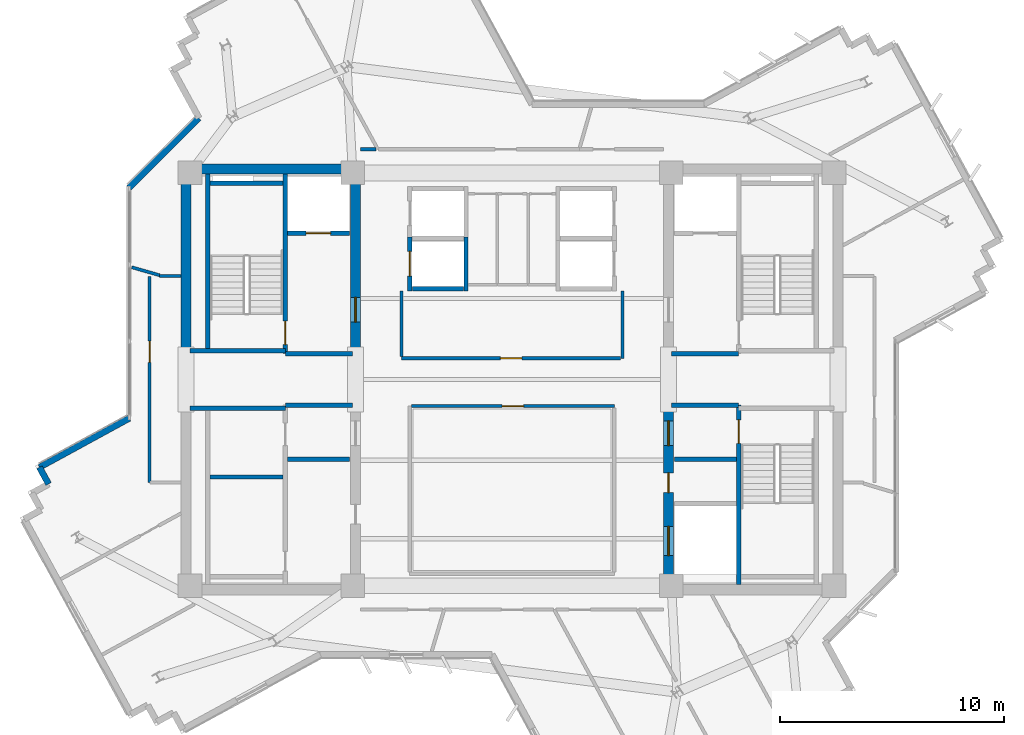
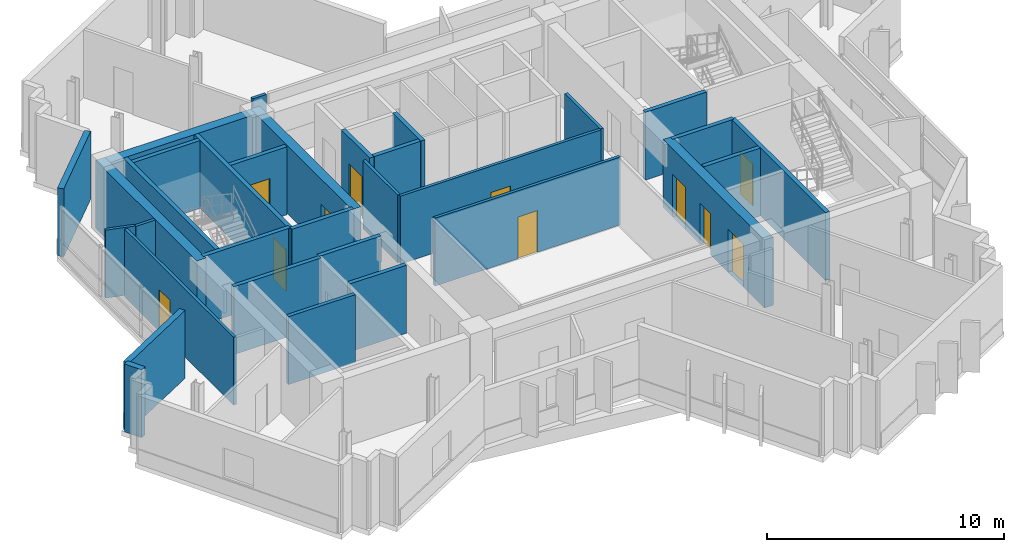
# One storey, part 6 of 13: 32 walls, 11 doors, 11 openings.
"""IFC4 building model written with IfcOpenShell, lengths in metres."""

from ifc_helpers import new_model, si_unit, direction, frame, frame_2d, origin, place, context, subcontext, project, spatial, rectangle, extrude, source, transform, mapped, material, layer, layer_set, type_object, element, fill, save


model = new_model("IFC4")

# Units and contexts
model_context = context("Model", 3, precision=1e-05, world=origin(), true_north=direction((0.0, 1.0)))
body_context = subcontext(model_context, "Body", "Model", "MODEL_VIEW")
ifc_project = project(units=[si_unit("LENGTHUNIT", "METRE"), si_unit("AREAUNIT", "SQUARE_METRE"), si_unit("VOLUMEUNIT", "CUBIC_METRE"), si_unit("PLANEANGLEUNIT", "RADIAN"), si_unit("MASSUNIT", "GRAM", prefix="KILO")], contexts=[model_context])

# Site, building, storey
site_placement = place(None, origin())
site = spatial("IfcSite", under=ifc_project, at=site_placement, CompositionType="ELEMENT")
building_placement = place(site_placement, origin())
building = spatial("IfcBuilding", under=site, at=building_placement, Name="Zahravan Cultural Tower", CompositionType="ELEMENT")
storey_placement = place(building_placement, frame((0.0, 0.0, 257.85009765625)))
storey = spatial("IfcBuildingStorey", under=building, at=storey_placement, Name="L61", CompositionType="ELEMENT", Elevation=257.85009765625)

# Wall, opening, door
ifc_material_1 = material(Name="Concrete C50/60", Category="concrete")
ifc_layer_1 = layer(ifc_material_1, 0.449951171875)
ifc_layer_set_1 = layer_set([ifc_layer_1], Name="Concrete C50/60")
wall_type_1 = type_object("IfcWallType", Name="CW-SHEAR-450-C50", PredefinedType="SHEAR", material=ifc_layer_set_1)
wall_1_placement = place(storey_placement, frame((29.02490234375, 28.050048828125, 0.0), z_axis=(0.0, 0.0, 1.0), x_axis=(0.0, 1.0, 0.0)))
wall_1 = element("IfcWall", 1, at=wall_1_placement, inside=storey, type_object=wall_type_1, Name="L61 Core Shear Wall CW-W-EN-L61", PredefinedType="SHEAR", context=body_context, shape_type="SweptSolid", body=[
    extrude(rectangle(XDim=8.550048828125, YDim=0.449951171875, at=frame_2d((4.27490234375, 0.0))), origin(), (0.0, 0.0, 1.0), 3.5),
])
opening_1_placement = place(wall_1_placement, frame((1.5, 0.0, 0.0)))
opening_1 = element("IfcOpeningElement", 2, at=opening_1_placement, cuts=wall_1, Name="Opening D-L61-06", PredefinedType="OPENING", context=body_context, shape_type="SweptSolid", body=[
    extrude(rectangle(XDim=1.10009765625, YDim=2.199951171875, at=frame_2d((0.550048828125, 1.10009765625))), frame((0.0, 0.23486328125, 0.0), z_axis=(0.0, -1.0, 0.0), x_axis=(1.0, 0.0, 0.0)), (0.0, 0.0, 1.0), 0.469970703125),
])
ifc_material_2 = material(Name="Steel ASTM A572 Grade 50", Category="steel")
door_type_1 = type_object("IfcDoorType", Name="DR-LOBBY-1100", OperationType="NOTDEFINED", PredefinedType="DOOR", material=ifc_material_2)
shared_shape_1 = source(origin(), body_context, "Body", "SweptSolid", [
    extrude(rectangle(XDim=1.10009765625, YDim=2.199951171875, at=frame_2d((0.550048828125, 1.10009765625))), frame((0.0, 0.02490234375, 0.0), z_axis=(0.0, -1.0, 0.0), x_axis=(1.0, 0.0, 0.0)), (0.0, 0.0, 1.0), 0.050048828125),
])
door_1_placement = place(opening_1_placement, origin())
door_1 = element("IfcDoor", 3, at=door_1_placement, inside=storey, type_object=door_type_1, Name="L61 Door D-L61-06", OperationType="SINGLE_SWING_RIGHT", OverallHeight=2.199951171875, OverallWidth=1.10009765625, PredefinedType="DOOR", context=body_context, shape_type="MappedRepresentation", body=[
    mapped(shared_shape_1, transform((0.0, 0.0, 0.0), x_axis=(1.0, 0.0, 0.0), y_axis=(0.0, 1.0, 0.0), z_axis=(0.0, 0.0, 1.0), scale=1.0)),
])
fill(opening_1, door_1)

# Wall, openings, doors
wall_2_placement = place(storey_placement, frame((42.97509765625, 17.39990234375, 0.0), z_axis=(0.0, 0.0, 1.0), x_axis=(0.0, 1.0, 0.0)))
wall_2 = element("IfcWall", 4, at=wall_2_placement, inside=storey, type_object=wall_type_1, Name="L61 Core Shear Wall CW-E-WS-L61", PredefinedType="SHEAR", context=body_context, shape_type="SweptSolid", body=[
    extrude(rectangle(XDim=8.550048828125, YDim=0.449951171875, at=frame_2d((4.27490234375, 0.0))), origin(), (0.0, 0.0, 1.0), 3.5),
])
opening_2_placement = place(wall_2_placement, frame((6.64990234375, 0.0, 0.0)))
opening_2 = element("IfcOpeningElement", 5, at=opening_2_placement, cuts=wall_2, Name="Opening D-L61-09", PredefinedType="OPENING", context=body_context, shape_type="SweptSolid", body=[
    extrude(rectangle(XDim=1.10009765625, YDim=2.199951171875, at=frame_2d((0.550048828125, 1.10009765625))), frame((0.0, 0.23486328125, 0.0), z_axis=(0.0, -1.0, 0.0), x_axis=(1.0, 0.0, 0.0)), (0.0, 0.0, 1.0), 0.469970703125),
])
opening_3_placement = place(wall_2_placement, frame((1.75, 0.0, 0.0)))
opening_3 = element("IfcOpeningElement", 6, at=opening_3_placement, cuts=wall_2, Name="Opening LD-L61-03", PredefinedType="OPENING", context=body_context, shape_type="SweptSolid", body=[
    extrude(rectangle(XDim=1.300048828125, YDim=2.199951171875, at=frame_2d((0.64990234375, 1.10009765625))), frame((0.0, 0.23486328125, 0.0), z_axis=(0.0, -1.0, 0.0), x_axis=(1.0, 0.0, 0.0)), (0.0, 0.0, 1.0), 0.469970703125),
])
opening_4_placement = place(wall_2_placement, frame((4.550048828125, 0.0, 0.0)))
opening_4 = element("IfcOpeningElement", 7, at=opening_4_placement, cuts=wall_2, Name="Opening D-L61-11", PredefinedType="OPENING", context=body_context, shape_type="SweptSolid", body=[
    extrude(rectangle(XDim=0.8798828125, YDim=2.10009765625, at=frame_2d((0.43994140625, 1.050048828125))), frame((0.0, 0.23486328125, 0.0), z_axis=(0.0, -1.0, 0.0), x_axis=(1.0, 0.0, 0.0)), (0.0, 0.0, 1.0), 0.469970703125),
])
door_2_placement = place(opening_2_placement, origin())
door_2 = element("IfcDoor", 8, at=door_2_placement, inside=storey, type_object=door_type_1, Name="L61 Door D-L61-09", OperationType="SINGLE_SWING_LEFT", OverallHeight=2.199951171875, OverallWidth=1.10009765625, PredefinedType="DOOR", context=body_context, shape_type="MappedRepresentation", body=[
    mapped(shared_shape_1, transform((0.0, 0.0, 0.0), x_axis=(1.0, 0.0, 0.0), y_axis=(0.0, 1.0, 0.0), z_axis=(0.0, 0.0, 1.0), scale=1.0)),
])
fill(opening_2, door_2)
door_type_2 = type_object("IfcDoorType", Name="DR-LIFT-1300", OperationType="DOUBLE_DOOR_SLIDING", PredefinedType="DOOR", material=ifc_material_2)
shared_shape_2 = source(origin(), body_context, "Body", "SweptSolid", [
    extrude(rectangle(XDim=1.300048828125, YDim=2.199951171875, at=frame_2d((0.64990234375, 1.10009765625))), frame((0.0, 0.02490234375, 0.0), z_axis=(0.0, -1.0, 0.0), x_axis=(1.0, 0.0, 0.0)), (0.0, 0.0, 1.0), 0.050048828125),
])
door_3_placement = place(opening_3_placement, origin())
door_3 = element("IfcDoor", 9, at=door_3_placement, inside=storey, type_object=door_type_2, Name="L61 Door LD-L61-03", OperationType="DOUBLE_DOOR_SLIDING", OverallHeight=2.199951171875, OverallWidth=1.300048828125, PredefinedType="DOOR", context=body_context, shape_type="MappedRepresentation", body=[
    mapped(shared_shape_2, transform((0.0, 0.0, 0.0), x_axis=(1.0, 0.0, 0.0), y_axis=(0.0, 1.0, 0.0), z_axis=(0.0, 0.0, 1.0), scale=1.0)),
])
fill(opening_3, door_3)
door_type_3 = type_object("IfcDoorType", Name="DR-SVC-880", OperationType="NOTDEFINED", PredefinedType="DOOR", material=ifc_material_2)
shared_shape_3 = source(origin(), body_context, "Body", "SweptSolid", [
    extrude(rectangle(XDim=0.8798828125, YDim=2.10009765625, at=frame_2d((0.43994140625, 1.050048828125))), frame((0.0, 0.02490234375, 0.0), z_axis=(0.0, -1.0, 0.0), x_axis=(1.0, 0.0, 0.0)), (0.0, 0.0, 1.0), 0.050048828125),
])
door_4_placement = place(opening_4_placement, origin())
door_4 = element("IfcDoor", 10, at=door_4_placement, inside=storey, type_object=door_type_3, Name="L61 Door D-L61-11", OperationType="SINGLE_SWING_LEFT", OverallHeight=2.10009765625, OverallWidth=0.8798828125, PredefinedType="DOOR", context=body_context, shape_type="MappedRepresentation", body=[
    mapped(shared_shape_3, transform((0.0, 0.0, 0.0), x_axis=(1.0, 0.0, 0.0), y_axis=(0.0, 1.0, 0.0), z_axis=(0.0, 0.0, 1.0), scale=1.0)),
])
fill(opening_4, door_4)

# Wall, opening, door
ifc_material_3 = material(Name="Gypsum plasterboard partition")
ifc_layer_2 = layer(ifc_material_3, 0.139892578125)
ifc_layer_set_2 = layer_set([ifc_layer_2], Name="Gypsum plasterboard partition")
wall_type_2 = type_object("IfcWallType", Name="W-PART-140", PredefinedType="PARTITIONING", material=ifc_layer_set_2)
wall_3_placement = place(storey_placement, frame((40.844970703125, 27.93994140625, 0.0), z_axis=(0.0, 0.0, 1.0), x_axis=(-1.0, 0.0, 0.0)))
wall_3 = element("IfcWall", 11, at=wall_3_placement, inside=storey, type_object=wall_type_2, Name="L61 Interior Wall 058", PredefinedType="PARTITIONING", context=body_context, shape_type="SweptSolid", body=[
    extrude(rectangle(XDim=9.764892578125, YDim=0.139892578125, at=frame_2d((4.88232421875, 0.0))), origin(), (0.0, 0.0, 1.0), 3.5),
])
opening_5_placement = place(wall_3_placement, frame((4.407470703125, 0.0, 0.0)))
opening_5 = element("IfcOpeningElement", 12, at=opening_5_placement, cuts=wall_3, Name="Opening D-L61-16", PredefinedType="OPENING", context=body_context, shape_type="SweptSolid", body=[
    extrude(rectangle(XDim=0.949951171875, YDim=2.14990234375, at=frame_2d((0.47509765625, 1.074951171875))), frame((0.0, 0.079833984375, 0.0), z_axis=(0.0, -1.0, 0.0), x_axis=(1.0, 0.0, 0.0)), (0.0, 0.0, 1.0), 0.159912109375),
])
ifc_material_4 = material(Name="Anodised bronze-aluminium mullion", Category="aluminium")
door_type_4 = type_object("IfcDoorType", Name="DR-ROOM-950", OperationType="NOTDEFINED", PredefinedType="DOOR", material=ifc_material_4)
shared_shape_4 = source(origin(), body_context, "Body", "SweptSolid", [
    extrude(rectangle(XDim=0.949951171875, YDim=2.14990234375, at=frame_2d((0.47509765625, 1.074951171875))), frame((0.0, 0.02490234375, 0.0), z_axis=(0.0, -1.0, 0.0), x_axis=(1.0, 0.0, 0.0)), (0.0, 0.0, 1.0), 0.050048828125),
])
door_5_placement = place(opening_5_placement, origin())
door_5 = element("IfcDoor", 13, at=door_5_placement, inside=storey, type_object=door_type_4, Name="L61 Door D-L61-16", OperationType="SINGLE_SWING_RIGHT", OverallHeight=2.14990234375, OverallWidth=0.949951171875, PredefinedType="DOOR", context=body_context, shape_type="MappedRepresentation", body=[
    mapped(shared_shape_4, transform((0.0, 0.0, 0.0), x_axis=(1.0, 0.0, 0.0), y_axis=(0.0, 1.0, 0.0), z_axis=(0.0, 0.0, 1.0), scale=1.0)),
])
fill(opening_5, door_5)

wall_4_placement = place(storey_placement, frame((19.85009765625, 31.593994140625, 0.0), z_axis=(0.0, 0.0, 1.0), x_axis=(2.657666e-05, -0.999999999647, 0.0)))
wall_4 = element("IfcWall", 14, at=wall_4_placement, inside=storey, type_object=wall_type_2, Name="L61 Interior Wall 064", PredefinedType="PARTITIONING", context=body_context, shape_type="SweptSolid", body=[
    extrude(rectangle(XDim=9.186279296875, YDim=0.139892578125, at=frame_2d((4.59326171875, 0.0))), origin(), (0.0, 0.0, 1.0), 3.5),
])
opening_6_placement = place(wall_4_placement, frame((2.8828125, 0.0, 0.0)))
opening_6 = element("IfcOpeningElement", 15, at=opening_6_placement, cuts=wall_4, Name="Opening D-L61-20", PredefinedType="OPENING", context=body_context, shape_type="SweptSolid", body=[
    extrude(rectangle(XDim=0.949951171875, YDim=2.14990234375, at=frame_2d((0.47509765625, 1.074951171875))), frame((0.0, 0.079833984375, 0.0), z_axis=(0.0, -1.0, 0.0), x_axis=(1.0, 0.0, 0.0)), (0.0, 0.0, 1.0), 0.159912109375),
])
door_6_placement = place(opening_6_placement, origin())
door_6 = element("IfcDoor", 16, at=door_6_placement, inside=storey, type_object=door_type_4, Name="L61 Door D-L61-20", OperationType="SINGLE_SWING_RIGHT", OverallHeight=2.14990234375, OverallWidth=0.949951171875, PredefinedType="DOOR", context=body_context, shape_type="MappedRepresentation", body=[
    mapped(shared_shape_4, transform((0.0, 0.0, 0.0), x_axis=(1.0, 0.0, 0.0), y_axis=(0.0, 1.0, 0.0), z_axis=(0.0, 0.0, 1.0), scale=1.0)),
])
fill(opening_6, door_6)

wall_5_placement = place(storey_placement, frame((31.514892578125, 25.81005859375, 0.0), z_axis=(0.0, 0.0, 1.0), x_axis=(1.0, 0.0, 0.0)))
wall_5 = element("IfcWall", 17, at=wall_5_placement, inside=storey, type_object=wall_type_2, Name="L61 Interior Wall 083", PredefinedType="PARTITIONING", context=body_context, shape_type="SweptSolid", body=[
    extrude(rectangle(XDim=9.045166015625, YDim=0.139892578125, at=frame_2d((4.5224609375, 0.0))), origin(), (0.0, 0.0, 1.0), 3.5),
])
opening_7_placement = place(wall_5_placement, frame((4.047607421875, 0.0, 0.0)))
opening_7 = element("IfcOpeningElement", 18, at=opening_7_placement, cuts=wall_5, Name="Opening D-L61-12", PredefinedType="OPENING", context=body_context, shape_type="SweptSolid", body=[
    extrude(rectangle(XDim=0.949951171875, YDim=2.14990234375, at=frame_2d((0.47509765625, 1.074951171875))), frame((0.0, 0.079833984375, 0.0), z_axis=(0.0, -1.0, 0.0), x_axis=(1.0, 0.0, 0.0)), (0.0, 0.0, 1.0), 0.159912109375),
])
door_7_placement = place(opening_7_placement, origin())
door_7 = element("IfcDoor", 19, at=door_7_placement, inside=storey, type_object=door_type_4, Name="L61 Door D-L61-12", OperationType="SINGLE_SWING_RIGHT", OverallHeight=2.14990234375, OverallWidth=0.949951171875, PredefinedType="DOOR", context=body_context, shape_type="MappedRepresentation", body=[
    mapped(shared_shape_4, transform((0.0, 0.0, 0.0), x_axis=(1.0, 0.0, 0.0), y_axis=(0.0, 1.0, 0.0), z_axis=(0.0, 0.0, 1.0), scale=1.0)),
])
fill(opening_7, door_7)

ifc_material_5 = material(Name="Concrete C45/55", Category="concrete")
ifc_layer_3 = layer(ifc_material_5, 0.199951171875)
ifc_layer_set_3 = layer_set([ifc_layer_3], Name="Concrete C45/55")
wall_type_3 = type_object("IfcWallType", Name="W-SHAFT-200", PredefinedType="SOLIDWALL", material=ifc_layer_set_3)
wall_6_placement = place(storey_placement, frame((25.89990234375, 28.14990234375, 0.0), z_axis=(0.0, 0.0, 1.0), x_axis=(0.0, 1.0, 0.0)))
wall_6 = element("IfcWall", 20, at=wall_6_placement, inside=storey, type_object=wall_type_3, Name="L61 Interior Wall 006", PredefinedType="SOLIDWALL", context=body_context, shape_type="SweptSolid", body=[
    extrude(rectangle(XDim=8.0, YDim=0.199951171875, at=frame_2d((4.0, 0.0))), origin(), (0.0, 0.0, 1.0), 3.5),
])
opening_8_placement = place(wall_6_placement, frame((0.39990234375, 0.0, 0.0)))
opening_8 = element("IfcOpeningElement", 21, at=opening_8_placement, cuts=wall_6, Name="Opening D-L61-01", PredefinedType="OPENING", context=body_context, shape_type="SweptSolid", body=[
    extrude(rectangle(XDim=1.050048828125, YDim=2.14990234375, at=frame_2d((0.52490234375, 1.074951171875))), frame((0.0, 0.10986328125, 0.0), z_axis=(0.0, -1.0, 0.0), x_axis=(1.0, 0.0, 0.0)), (0.0, 0.0, 1.0), 0.219970703125),
])
door_type_5 = type_object("IfcDoorType", Name="DR-STAIR-1050", OperationType="NOTDEFINED", PredefinedType="DOOR", material=ifc_material_2)
shared_shape_5 = source(origin(), body_context, "Body", "SweptSolid", [
    extrude(rectangle(XDim=1.050048828125, YDim=2.14990234375, at=frame_2d((0.52490234375, 1.074951171875))), frame((0.0, 0.02490234375, 0.0), z_axis=(0.0, -1.0, 0.0), x_axis=(1.0, 0.0, 0.0)), (0.0, 0.0, 1.0), 0.050048828125),
])
door_8_placement = place(opening_8_placement, origin())
door_8 = element("IfcDoor", 22, at=door_8_placement, inside=storey, type_object=door_type_5, Name="L61 Door D-L61-01", OperationType="SINGLE_SWING_LEFT", OverallHeight=2.14990234375, OverallWidth=1.050048828125, PredefinedType="DOOR", context=body_context, shape_type="MappedRepresentation", body=[
    mapped(shared_shape_5, transform((0.0, 0.0, 0.0), x_axis=(1.0, 0.0, 0.0), y_axis=(0.0, 1.0, 0.0), z_axis=(0.0, 0.0, 1.0), scale=1.0)),
])
fill(opening_8, door_8)

wall_7_placement = place(storey_placement, frame((46.10009765625, 17.85009765625, 0.0), z_axis=(0.0, 0.0, 1.0), x_axis=(0.0, 1.0, 0.0)))
wall_7 = element("IfcWall", 23, at=wall_7_placement, inside=storey, type_object=wall_type_3, Name="L61 Interior Wall 007", PredefinedType="SOLIDWALL", context=body_context, shape_type="SweptSolid", body=[
    extrude(rectangle(XDim=8.0, YDim=0.199951171875, at=frame_2d((4.0, 0.0))), origin(), (0.0, 0.0, 1.0), 3.5),
])
opening_9_placement = place(wall_7_placement, frame((6.300048828125, 0.0, 0.0)))
opening_9 = element("IfcOpeningElement", 24, at=opening_9_placement, cuts=wall_7, Name="Opening D-L61-03", PredefinedType="OPENING", context=body_context, shape_type="SweptSolid", body=[
    extrude(rectangle(XDim=1.050048828125, YDim=2.14990234375, at=frame_2d((0.52490234375, 1.074951171875))), frame((0.0, 0.10986328125, 0.0), z_axis=(0.0, -1.0, 0.0), x_axis=(1.0, 0.0, 0.0)), (0.0, 0.0, 1.0), 0.219970703125),
])
door_9_placement = place(opening_9_placement, origin())
door_9 = element("IfcDoor", 25, at=door_9_placement, inside=storey, type_object=door_type_5, Name="L61 Door D-L61-03", OperationType="SINGLE_SWING_LEFT", OverallHeight=2.14990234375, OverallWidth=1.050048828125, PredefinedType="DOOR", context=body_context, shape_type="MappedRepresentation", body=[
    mapped(shared_shape_5, transform((0.0, 0.0, 0.0), x_axis=(1.0, 0.0, 0.0), y_axis=(0.0, 1.0, 0.0), z_axis=(0.0, 0.0, 1.0), scale=1.0)),
])
fill(opening_9, door_9)

wall_8_placement = place(storey_placement, frame((26.0, 33.52001953125, 0.0), z_axis=(0.0, 0.0, 1.0), x_axis=(1.0, 0.0, 0.0)))
wall_8 = element("IfcWall", 26, at=wall_8_placement, inside=storey, type_object=wall_type_3, Name="L61 Interior Wall 022", PredefinedType="SOLIDWALL", context=body_context, shape_type="SweptSolid", body=[
    extrude(rectangle(XDim=2.75, YDim=0.199951171875, at=frame_2d((1.375, 0.0))), origin(), (0.0, 0.0, 1.0), 3.5),
])
opening_10_placement = place(wall_8_placement, frame((0.820068359375, 0.0, 0.0)))
opening_10 = element("IfcOpeningElement", 27, at=opening_10_placement, cuts=wall_8, Name="Opening LD-L61-01", PredefinedType="OPENING", context=body_context, shape_type="SweptSolid", body=[
    extrude(rectangle(XDim=1.10009765625, YDim=2.14990234375, at=frame_2d((0.550048828125, 1.074951171875))), frame((0.0, 0.10986328125, 0.0), z_axis=(0.0, -1.0, 0.0), x_axis=(1.0, 0.0, 0.0)), (0.0, 0.0, 1.0), 0.219970703125),
])
door_type_6 = type_object("IfcDoorType", Name="DR-LIFT-1100", OperationType="DOUBLE_DOOR_SLIDING", PredefinedType="DOOR", material=ifc_material_2)
shared_shape_6 = source(origin(), body_context, "Body", "SweptSolid", [
    extrude(rectangle(XDim=1.10009765625, YDim=2.14990234375, at=frame_2d((0.550048828125, 1.074951171875))), frame((0.0, 0.02490234375, 0.0), z_axis=(0.0, -1.0, 0.0), x_axis=(1.0, 0.0, 0.0)), (0.0, 0.0, 1.0), 0.050048828125),
])
door_10_placement = place(opening_10_placement, origin())
door_10 = element("IfcDoor", 28, at=door_10_placement, inside=storey, type_object=door_type_6, Name="L61 Door LD-L61-01", OperationType="DOUBLE_DOOR_SLIDING", OverallHeight=2.14990234375, OverallWidth=1.10009765625, PredefinedType="DOOR", context=body_context, shape_type="MappedRepresentation", body=[
    mapped(shared_shape_6, transform((0.0, 0.0, 0.0), x_axis=(1.0, 0.0, 0.0), y_axis=(0.0, 1.0, 0.0), z_axis=(0.0, 0.0, 1.0), scale=1.0)),
])
fill(opening_10, door_10)

wall_9_placement = place(storey_placement, frame((31.449951171875, 30.949951171875, 0.0), z_axis=(0.0, 0.0, 1.0), x_axis=(0.0, 1.0, 0.0)))
wall_9 = element("IfcWall", 29, at=wall_9_placement, inside=storey, type_object=wall_type_3, Name="L61 Interior Wall 031", PredefinedType="SOLIDWALL", context=body_context, shape_type="SweptSolid", body=[
    extrude(rectangle(XDim=2.400146484375, YDim=0.199951171875, at=frame_2d((1.2001953125, 0.0))), origin(), (0.0, 0.0, 1.0), 3.5),
])
opening_11_placement = place(wall_9_placement, frame((0.64990234375, 0.0, 0.0)))
opening_11 = element("IfcOpeningElement", 30, at=opening_11_placement, cuts=wall_9, Name="Opening LD-L61-05", PredefinedType="OPENING", context=body_context, shape_type="SweptSolid", body=[
    extrude(rectangle(XDim=1.10009765625, YDim=2.14990234375, at=frame_2d((0.550048828125, 1.074951171875))), frame((0.0, 0.10986328125, 0.0), z_axis=(0.0, -1.0, 0.0), x_axis=(1.0, 0.0, 0.0)), (0.0, 0.0, 1.0), 0.219970703125),
])
door_11_placement = place(opening_11_placement, origin())
door_11 = element("IfcDoor", 31, at=door_11_placement, inside=storey, type_object=door_type_6, Name="L61 Door LD-L61-05", OperationType="DOUBLE_DOOR_SLIDING", OverallHeight=2.14990234375, OverallWidth=1.10009765625, PredefinedType="DOOR", context=body_context, shape_type="MappedRepresentation", body=[
    mapped(shared_shape_6, transform((0.0, 0.0, 0.0), x_axis=(1.0, 0.0, 0.0), y_axis=(0.0, 1.0, 0.0), z_axis=(0.0, 0.0, 1.0), scale=1.0)),
])
fill(opening_11, door_11)

# Walls
shared_shape_7 = source(origin(), body_context, "Body", "SweptSolid", [
    extrude(rectangle(XDim=8.550048828125, YDim=0.449951171875, at=frame_2d((4.27490234375, 0.0))), origin(), (0.0, 0.0, 1.0), 3.5),
])
wall_10_placement = place(storey_placement, frame((21.47509765625, 28.050048828125, 0.0), z_axis=(0.0, 0.0, 1.0), x_axis=(0.0, 1.0, 0.0)))
element("IfcWall", 32, at=wall_10_placement, inside=storey, type_object=wall_type_1, Name="L61 Core Shear Wall CW-W-WN-L61", PredefinedType="SHEAR", context=body_context, shape_type="MappedRepresentation", body=[
    mapped(shared_shape_7, transform((0.0, 0.0, 0.0), x_axis=(1.0, 0.0, 0.0), y_axis=(0.0, 1.0, 0.0), z_axis=(0.0, 0.0, 1.0), scale=1.0)),
])
shared_shape_8 = source(origin(), body_context, "Body", "SweptSolid", [
    extrude(rectangle(XDim=7.10009765625, YDim=0.449951171875, at=frame_2d((3.550048828125, 0.0))), origin(), (0.0, 0.0, 1.0), 3.5),
])
wall_11_placement = place(storey_placement, frame((21.699951171875, 36.375, 0.0), z_axis=(0.0, 0.0, 1.0), x_axis=(1.0, 0.0, 0.0)))
element("IfcWall", 33, at=wall_11_placement, inside=storey, type_object=wall_type_1, Name="L61 Core Shear Wall CW-W-N-L61", PredefinedType="SHEAR", context=body_context, shape_type="MappedRepresentation", body=[
    mapped(shared_shape_8, transform((0.0, 0.0, 0.0), x_axis=(1.0, 0.0, 0.0), y_axis=(0.0, 1.0, 0.0), z_axis=(0.0, 0.0, 1.0), scale=1.0)),
])
ifc_material_6 = material(Name="Precast concrete C40/50", Category="concrete")
ifc_layer_4 = layer(ifc_material_6, 0.280029296875)
ifc_layer_set_4 = layer_set([ifc_layer_4], Name="Precast concrete C40/50")
wall_type_4 = type_object("IfcWallType", Name="EW-TC-280", PredefinedType="SOLIDWALL", material=ifc_layer_set_4)
shared_shape_9 = source(origin(), body_context, "Body", "SweptSolid", [
    extrude(rectangle(XDim=0.85009765625, YDim=0.280029296875, at=frame_2d((0.425048828125, 0.0))), origin(), (0.0, 0.0, 1.0), 3.5),
])
wall_12_placement = place(storey_placement, frame((15.34716796875, 22.3369140625, 0.0), z_axis=(0.0, 0.0, 1.0), x_axis=(-0.479314855696, 0.877643019177, 0.0)))
element("IfcWall", 34, at=wall_12_placement, inside=storey, type_object=wall_type_4, Name="L61 Exterior Masonry Frame Wall 34", PredefinedType="SOLIDWALL", context=body_context, shape_type="MappedRepresentation", body=[
    mapped(shared_shape_9, transform((0.0, 0.0, 0.0), x_axis=(1.0, 0.0, 0.0), y_axis=(0.0, 1.0, 0.0), z_axis=(0.0, 0.0, 1.0), scale=1.0)),
])
shared_shape_10 = source(origin(), body_context, "Body", "SweptSolid", [
    extrude(rectangle(XDim=4.558349609375, YDim=0.280029296875, at=frame_2d((2.279296875, 0.0))), origin(), (0.0, 0.0, 1.0), 3.5),
])
wall_13_placement = place(storey_placement, frame((14.939697265625, 23.0830078125, 0.0), z_axis=(0.0, 0.0, 1.0), x_axis=(0.877563774399, 0.479459927276, 0.0)))
element("IfcWall", 35, at=wall_13_placement, inside=storey, type_object=wall_type_4, Name="L61 Exterior Masonry Frame Wall 35", PredefinedType="SOLIDWALL", context=body_context, shape_type="MappedRepresentation", body=[
    mapped(shared_shape_10, transform((0.0, 0.0, 0.0), x_axis=(1.0, 0.0, 0.0), y_axis=(0.0, 1.0, 0.0), z_axis=(0.0, 0.0, 1.0), scale=1.0)),
])
shared_shape_11 = source(origin(), body_context, "Body", "SweptSolid", [
    extrude(rectangle(XDim=4.3935546875, YDim=0.280029296875, at=frame_2d((2.19677734375, 0.0))), origin(), (0.0, 0.0, 1.0), 3.5),
])
wall_14_placement = place(storey_placement, frame((18.93994140625, 35.5419921875, 0.0), z_axis=(0.0, 0.0, 1.0), x_axis=(0.707106781187, 0.707106781187, 0.0)))
element("IfcWall", 36, at=wall_14_placement, inside=storey, type_object=wall_type_4, Name="L61 Exterior Masonry Frame Wall 36", PredefinedType="SOLIDWALL", context=body_context, shape_type="MappedRepresentation", body=[
    mapped(shared_shape_11, transform((0.0, 0.0, 0.0), x_axis=(1.0, 0.0, 0.0), y_axis=(0.0, 1.0, 0.0), z_axis=(0.0, 0.0, 1.0), scale=1.0)),
])
shared_shape_12 = source(origin(), body_context, "Body", "SweptSolid", [
    extrude(rectangle(XDim=7.869873046875, YDim=0.199951171875, at=frame_2d((3.93505859375, 0.0))), origin(), (0.0, 0.0, 1.0), 3.5),
])
wall_15_placement = place(storey_placement, frame((22.449951171875, 28.280029296875, 0.0), z_axis=(0.0, 0.0, 1.0), x_axis=(0.0, 1.0, 0.0)))
element("IfcWall", 37, at=wall_15_placement, inside=storey, type_object=wall_type_3, Name="L61 Interior Wall 002", PredefinedType="SOLIDWALL", context=body_context, shape_type="MappedRepresentation", body=[
    mapped(shared_shape_12, transform((0.0, 0.0, 0.0), x_axis=(1.0, 0.0, 0.0), y_axis=(0.0, 1.0, 0.0), z_axis=(0.0, 0.0, 1.0), scale=1.0)),
])
shared_shape_13 = source(origin(), body_context, "Body", "SweptSolid", [
    extrude(rectangle(XDim=4.25, YDim=0.199951171875, at=frame_2d((2.125, 0.0))), origin(), (0.0, 0.0, 1.0), 3.5),
])
for number, where, z_axis, x_axis, name in (
    (38, (21.64990234375, 25.715087890625, 0.0), (0.0, 0.0, 1.0), (1.0, 0.0, 0.0), "L61 Interior Wall 009"),
    (39, (21.64990234375, 28.284912109375, 0.0), (0.0, 0.0, 1.0), (1.0, 0.0, 0.0), "L61 Interior Wall 011"),
):
    element("IfcWall", number, at=place(storey_placement, frame(where, z_axis=z_axis, x_axis=x_axis)), inside=storey, type_object=wall_type_3, Name=name, PredefinedType="SOLIDWALL", context=body_context, shape_type="MappedRepresentation", body=[
        mapped(shared_shape_13, transform((0.0, 0.0, 0.0), x_axis=(1.0, 0.0, 0.0), y_axis=(0.0, 1.0, 0.0), z_axis=(0.0, 0.0, 1.0), scale=1.0)),
    ])
shared_shape_14 = source(origin(), body_context, "Body", "SweptSolid", [
    extrude(rectangle(XDim=3.0, YDim=0.199951171875, at=frame_2d((1.5, 0.0))), origin(), (0.0, 0.0, 1.0), 3.5),
])
for number, where, z_axis, x_axis, name in (
    (40, (25.89990234375, 25.85009765625, 0.0), (0.0, 0.0, 1.0), (1.0, 0.0, 0.0), "L61 Interior Wall 010"),
    (41, (25.89990234375, 28.14990234375, 0.0), (0.0, 0.0, 1.0), (1.0, 0.0, 0.0), "L61 Interior Wall 012"),
    (42, (43.10009765625, 25.85009765625, 0.0), (0.0, 0.0, 1.0), (1.0, 0.0, 0.0), "L61 Interior Wall 013"),
    (43, (43.10009765625, 28.14990234375, 0.0), (0.0, 0.0, 1.0), (1.0, 0.0, 0.0), "L61 Interior Wall 015"),
):
    element("IfcWall", number, at=place(storey_placement, frame(where, z_axis=z_axis, x_axis=x_axis)), inside=storey, type_object=wall_type_3, Name=name, PredefinedType="SOLIDWALL", context=body_context, shape_type="MappedRepresentation", body=[
        mapped(shared_shape_14, transform((0.0, 0.0, 0.0), x_axis=(1.0, 0.0, 0.0), y_axis=(0.0, 1.0, 0.0), z_axis=(0.0, 0.0, 1.0), scale=1.0)),
    ])
shared_shape_15 = source(origin(), body_context, "Body", "SweptSolid", [
    extrude(rectangle(XDim=3.25, YDim=0.199951171875, at=frame_2d((1.625, 0.0))), origin(), (0.0, 0.0, 1.0), 3.5),
])
wall_16_placement = place(storey_placement, frame((22.550048828125, 35.75, 0.0), z_axis=(0.0, 0.0, 1.0), x_axis=(1.0, 0.0, 0.0)))
element("IfcWall", 44, at=wall_16_placement, inside=storey, type_object=wall_type_3, Name="L61 Interior Wall 017", PredefinedType="SOLIDWALL", context=body_context, shape_type="MappedRepresentation", body=[
    mapped(shared_shape_15, transform((0.0, 0.0, 0.0), x_axis=(1.0, 0.0, 0.0), y_axis=(0.0, 1.0, 0.0), z_axis=(0.0, 0.0, 1.0), scale=1.0)),
])
ifc_layer_5 = layer(ifc_material_3, 0.179931640625)
ifc_layer_set_5 = layer_set([ifc_layer_5], Name="Gypsum plasterboard partition")
wall_type_5 = type_object("IfcWallType", Name="W-COMP-180", PredefinedType="PARTITIONING", material=ifc_layer_set_5)
shared_shape_16 = source(origin(), body_context, "Body", "SweptSolid", [
    extrude(rectangle(XDim=3.25, YDim=0.179931640625, at=frame_2d((1.625, 0.0))), origin(), (0.0, 0.0, 1.0), 3.5),
])
wall_17_placement = place(storey_placement, frame((22.550048828125, 22.64990234375, 0.0), z_axis=(0.0, 0.0, 1.0), x_axis=(1.0, 0.0, 0.0)))
element("IfcWall", 45, at=wall_17_placement, inside=storey, type_object=wall_type_5, Name="L61 Interior Wall 021", PredefinedType="PARTITIONING", context=body_context, shape_type="MappedRepresentation", body=[
    mapped(shared_shape_16, transform((0.0, 0.0, 0.0), x_axis=(1.0, 0.0, 0.0), y_axis=(0.0, 1.0, 0.0), z_axis=(0.0, 0.0, 1.0), scale=1.0)),
])
shared_shape_17 = source(origin(), body_context, "Body", "SweptSolid", [
    extrude(rectangle(XDim=2.75, YDim=0.199951171875, at=frame_2d((1.375, 0.0))), origin(), (0.0, 0.0, 1.0), 3.5),
])
for number, where, z_axis, x_axis, name in (
    (46, (26.0, 23.449951171875, 0.0), (0.0, 0.0, 1.0), (1.0, 0.0, 0.0), "L61 Interior Wall 024"),
    (47, (43.25, 23.449951171875, 0.0), (0.0, 0.0, 1.0), (1.0, 0.0, 0.0), "L61 Interior Wall 025"),
):
    element("IfcWall", number, at=place(storey_placement, frame(where, z_axis=z_axis, x_axis=x_axis)), inside=storey, type_object=wall_type_3, Name=name, PredefinedType="SOLIDWALL", context=body_context, shape_type="MappedRepresentation", body=[
        mapped(shared_shape_17, transform((0.0, 0.0, 0.0), x_axis=(1.0, 0.0, 0.0), y_axis=(0.0, 1.0, 0.0), z_axis=(0.0, 0.0, 1.0), scale=1.0)),
    ])
shared_shape_18 = source(origin(), body_context, "Body", "SweptSolid", [
    extrude(rectangle(XDim=2.400146484375, YDim=0.199951171875, at=frame_2d((1.2001953125, 0.0))), origin(), (0.0, 0.0, 1.0), 3.5),
])
wall_18_placement = place(storey_placement, frame((33.949951171875, 30.949951171875, 0.0), z_axis=(0.0, 0.0, 1.0), x_axis=(0.0, 1.0, 0.0)))
element("IfcWall", 48, at=wall_18_placement, inside=storey, type_object=wall_type_3, Name="L61 Interior Wall 032", PredefinedType="SOLIDWALL", context=body_context, shape_type="MappedRepresentation", body=[
    mapped(shared_shape_18, transform((0.0, 0.0, 0.0), x_axis=(1.0, 0.0, 0.0), y_axis=(0.0, 1.0, 0.0), z_axis=(0.0, 0.0, 1.0), scale=1.0)),
])
shared_shape_19 = source(origin(), body_context, "Body", "SweptSolid", [
    extrude(rectangle(XDim=2.260009765625, YDim=0.199951171875, at=frame_2d((1.1298828125, 0.0))), origin(), (0.0, 0.0, 1.0), 3.5),
])
wall_19_placement = place(storey_placement, frame((31.570068359375, 31.050048828125, 0.0), z_axis=(0.0, 0.0, 1.0), x_axis=(1.0, 0.0, 0.0)))
element("IfcWall", 49, at=wall_19_placement, inside=storey, type_object=wall_type_3, Name="L61 Interior Wall 033", PredefinedType="SOLIDWALL", context=body_context, shape_type="MappedRepresentation", body=[
    mapped(shared_shape_19, transform((0.0, 0.0, 0.0), x_axis=(1.0, 0.0, 0.0), y_axis=(0.0, 1.0, 0.0), z_axis=(0.0, 0.0, 1.0), scale=1.0)),
])
shared_shape_20 = source(origin(), body_context, "Body", "SweptSolid", [
    extrude(rectangle(XDim=3.010009765625, YDim=0.139892578125, at=frame_2d((1.5048828125, 0.0))), origin(), (0.0, 0.0, 1.0), 3.5),
])
wall_20_placement = place(storey_placement, frame((40.919921875, 30.949951171875, 0.0), z_axis=(0.0, 0.0, 1.0), x_axis=(0.0, -1.0, 0.0)))
element("IfcWall", 50, at=wall_20_placement, inside=storey, type_object=wall_type_2, Name="L61 Interior Wall 057", PredefinedType="PARTITIONING", context=body_context, shape_type="MappedRepresentation", body=[
    mapped(shared_shape_20, transform((0.0, 0.0, 0.0), x_axis=(1.0, 0.0, 0.0), y_axis=(0.0, 1.0, 0.0), z_axis=(0.0, 0.0, 1.0), scale=1.0)),
])
shared_shape_21 = source(origin(), body_context, "Body", "SweptSolid", [
    extrude(rectangle(XDim=2.93505859375, YDim=0.139892578125, at=frame_2d((1.467529296875, 0.0))), origin(), (0.0, 0.0, 1.0), 3.5),
])
wall_21_placement = place(storey_placement, frame((31.080078125, 28.014892578125, 0.0), z_axis=(0.0, 0.0, 1.0), x_axis=(0.0, 1.0, 0.0)))
element("IfcWall", 51, at=wall_21_placement, inside=storey, type_object=wall_type_2, Name="L61 Interior Wall 059", PredefinedType="PARTITIONING", context=body_context, shape_type="MappedRepresentation", body=[
    mapped(shared_shape_21, transform((0.0, 0.0, 0.0), x_axis=(1.0, 0.0, 0.0), y_axis=(0.0, 1.0, 0.0), z_axis=(0.0, 0.0, 1.0), scale=1.0)),
])
shared_shape_22 = source(origin(), body_context, "Body", "SweptSolid", [
    extrude(rectangle(XDim=1.3046875, YDim=0.139892578125, at=frame_2d((0.65234375, 0.0))), origin(), (0.0, 0.0, 1.0), 3.5),
])
wall_22_placement = place(storey_placement, frame((19.054931640625, 31.99755859375, 0.0), z_axis=(0.0, 0.0, 1.0), x_axis=(0.960836047515, -0.2771174657, 0.0)))
element("IfcWall", 52, at=wall_22_placement, inside=storey, type_object=wall_type_2, Name="L61 Interior Wall 063", PredefinedType="PARTITIONING", context=body_context, shape_type="MappedRepresentation", body=[
    mapped(shared_shape_22, transform((0.0, 0.0, 0.0), x_axis=(1.0, 0.0, 0.0), y_axis=(0.0, 1.0, 0.0), z_axis=(0.0, 0.0, 1.0), scale=1.0)),
])
shared_shape_23 = source(origin(), body_context, "Body", "SweptSolid", [
    extrude(rectangle(XDim=0.6796875, YDim=0.139892578125, at=frame_2d((0.33984375, 0.0))), origin(), (0.0, 0.0, 1.0), 3.5),
])
wall_23_placement = place(storey_placement, frame((29.93310546875, 37.260009765625, 0.0), z_axis=(0.0, 0.0, 1.0), x_axis=(-0.999999741957, -0.000718390619, 0.0)))
element("IfcWall", 53, at=wall_23_placement, inside=storey, type_object=wall_type_2, Name="L61 Interior Wall 079", PredefinedType="PARTITIONING", context=body_context, shape_type="MappedRepresentation", body=[
    mapped(shared_shape_23, transform((0.0, 0.0, 0.0), x_axis=(1.0, 0.0, 0.0), y_axis=(0.0, 1.0, 0.0), z_axis=(0.0, 0.0, 1.0), scale=1.0)),
])
shared_shape_24 = source(origin(), body_context, "Body", "SweptSolid", [
    extrude(rectangle(XDim=0.947021484375, YDim=0.139892578125, at=frame_2d((0.4736328125, 0.0))), origin(), (0.0, 0.0, 1.0), 3.5),
])
wall_24_placement = place(storey_placement, frame((21.2451171875, 31.60009765625, 0.0), z_axis=(0.0, 0.0, 1.0), x_axis=(-1.0, 0.0, 0.0)))
element("IfcWall", 54, at=wall_24_placement, inside=storey, type_object=wall_type_2, Name="L61 Interior Wall 080", PredefinedType="PARTITIONING", context=body_context, shape_type="MappedRepresentation", body=[
    mapped(shared_shape_24, transform((0.0, 0.0, 0.0), x_axis=(1.0, 0.0, 0.0), y_axis=(0.0, 1.0, 0.0), z_axis=(0.0, 0.0, 1.0), scale=1.0)),
])

save(model, "model.ifc")
